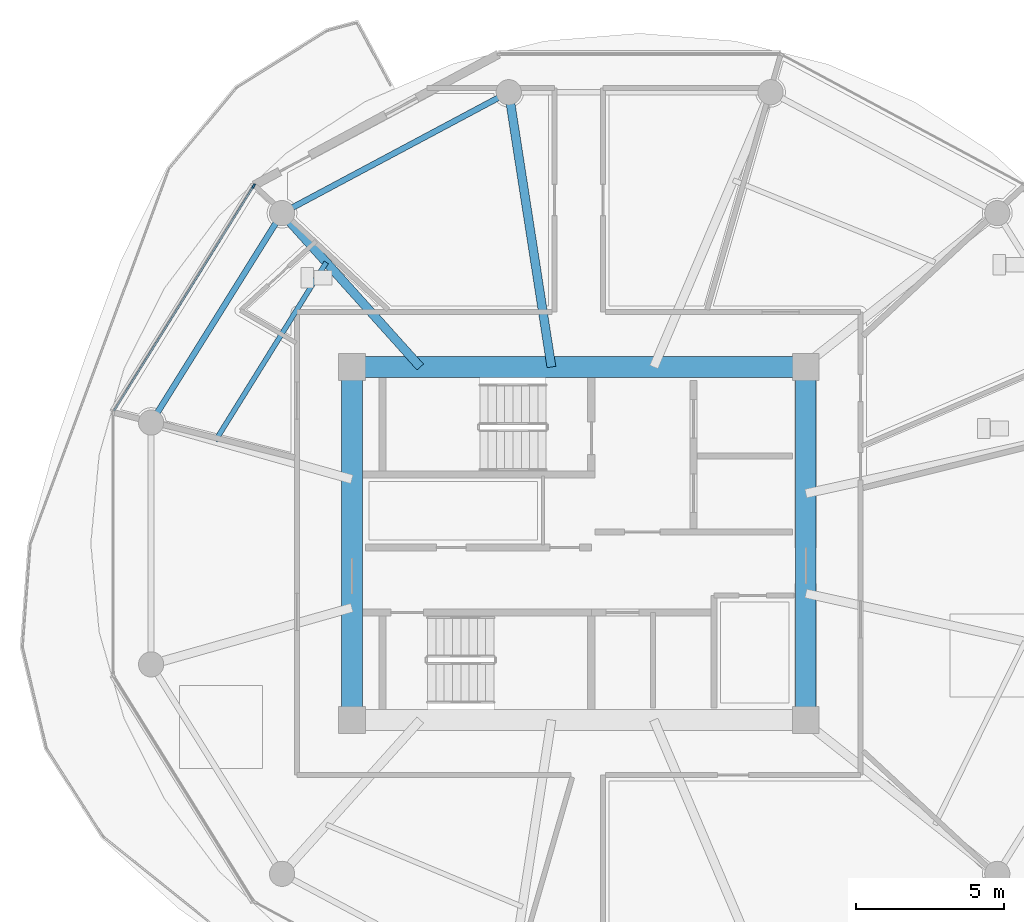
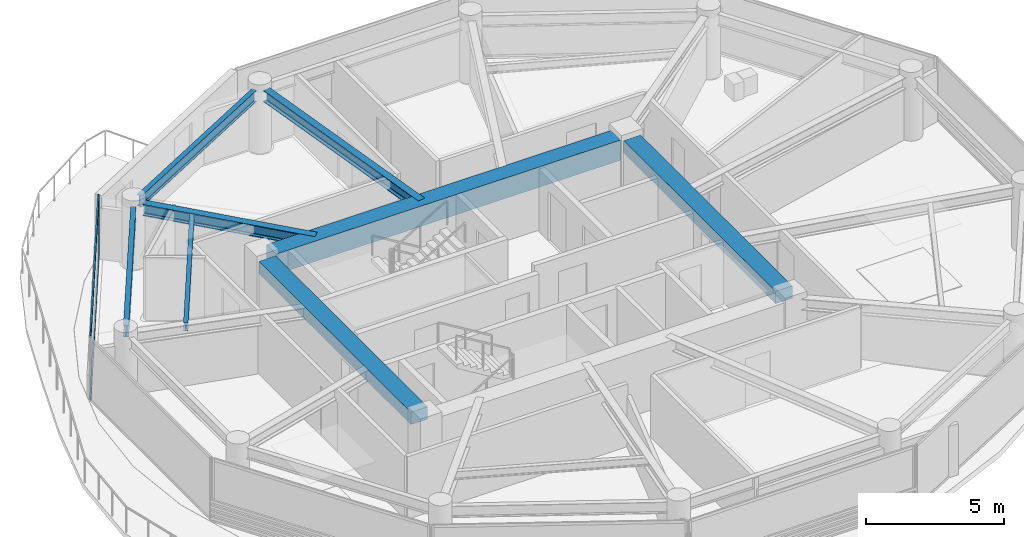
# One storey, part 4 of 25: 8 beams, 3 members, 1 element without a shape of its own.
"""IFC4 building model written with IfcOpenShell, lengths in metres."""

from ifc_helpers import new_model, si_unit, direction, frame, origin, origin_2d, place, context, subcontext, project, spatial, rectangle, i_section, extrude, source, transform, mapped, material, layer, layer_set, material_profile, profile_set, type_object, type_shapes, element, aggregate, save


model = new_model("IFC4")

# Units and contexts
model_context = context("Model", 3, precision=1e-05, world=origin(), true_north=direction((0.0, 1.0)))
body_context = subcontext(model_context, "Body", "Model", "MODEL_VIEW")
ifc_project = project(units=[si_unit("LENGTHUNIT", "METRE"), si_unit("AREAUNIT", "SQUARE_METRE"), si_unit("VOLUMEUNIT", "CUBIC_METRE"), si_unit("PLANEANGLEUNIT", "RADIAN"), si_unit("MASSUNIT", "GRAM", prefix="KILO")], contexts=[model_context])

# Site, building, storey
site_placement = place(None, origin())
site = spatial("IfcSite", under=ifc_project, at=site_placement, CompositionType="ELEMENT")
building_placement = place(site_placement, origin())
building = spatial("IfcBuilding", under=site, at=building_placement, Name="Norrkilde Senior Care Towers", CompositionType="ELEMENT")
storey_placement = place(building_placement, frame((0.0, 0.0, 99.300048828125)))
storey = spatial("IfcBuildingStorey", under=building, at=storey_placement, Name="L30", CompositionType="ELEMENT", Elevation=99.300048828125)

# Beams
ifc_material_1 = material(Name="Concrete C60/75", Category="concrete")
ifc_material_profile_1 = material_profile(ifc_material_1, rectangle(XDim=0.699951171875, YDim=0.89990234375, at=origin_2d()), Name="RC BM 700x900")
ifc_profile_set_1 = profile_set([ifc_material_profile_1], Name="Concrete C60/75")
beam_type_1 = type_object("IfcBeamType", Name="Core Coupling Girder 700x900", PredefinedType="USERDEFINED", material=ifc_profile_set_1)
shared_shape_1 = source(origin(), body_context, "Body", "SweptSolid", [
    extrude(rectangle(XDim=0.699951171875, YDim=0.89990234375, at=origin_2d()), origin(), (0.0, 0.0, 1.0), 14.43994140625),
])
type_shapes(beam_type_1, [shared_shape_1])
beam_1_placement = place(storey_placement, frame((-35.219970703125, 5.949951171875, 2.33984375), z_axis=(1.0, 0.0, 0.0), x_axis=(0.0, 1.0, 0.0)))
element("IfcBeam", 1, at=beam_1_placement, inside=storey, type_object=beam_type_1, Name="L30 Core W N Coupling Girder", ObjectType="GIRDER", PredefinedType="USERDEFINED", context=body_context, shape_type="MappedRepresentation", body=[
    mapped(shared_shape_1, transform((0.0, 0.0, 0.0), x_axis=(1.0, 0.0, 0.0), y_axis=(0.0, 1.0, 0.0), z_axis=(0.0, 0.0, 1.0), scale=1.0)),
])
ifc_material_profile_2 = material_profile(ifc_material_1, rectangle(XDim=0.699951171875, YDim=0.550048828125, at=origin_2d()), Name="RC BM 700x550")
ifc_profile_set_2 = profile_set([ifc_material_profile_2], Name="Concrete C60/75")
beam_type_2 = type_object("IfcBeamType", Name="Core Portal Coupling Beam 700x550", PredefinedType="USERDEFINED", material=ifc_profile_set_2)
shared_shape_2 = source(origin(), body_context, "Body", "SweptSolid", [
    extrude(rectangle(XDim=0.699951171875, YDim=0.550048828125, at=origin_2d()), origin(), (0.0, 0.0, 1.0), 11.0400390625),
])
type_shapes(beam_type_2, [shared_shape_2])
for number, where, z_axis, x_axis, name in (
    (2, (-35.64990234375, -5.52001953125, 2.514892578125), (0.0, 1.0, 0.0), (-1.0, 0.0, 0.0), "L30 Core W W Coupling Girder"),
    (3, (-20.35009765625, -5.52001953125, 2.514892578125), (0.0, 1.0, 0.0), (-1.0, 0.0, 0.0), "L30 Core W E Coupling Girder"),
):
    element("IfcBeam", number, at=place(storey_placement, frame(where, z_axis=z_axis, x_axis=x_axis)), inside=storey, type_object=beam_type_2, Name=name, ObjectType="GIRDER", PredefinedType="USERDEFINED", context=body_context, shape_type="MappedRepresentation", body=[
        mapped(shared_shape_2, transform((0.0, 0.0, 0.0), x_axis=(1.0, 0.0, 0.0), y_axis=(0.0, 1.0, 0.0), z_axis=(0.0, 0.0, 1.0), scale=1.0)),
    ])
ifc_material_2 = material(Name="Steel S355", Category="steel")
ifc_material_profile_3 = material_profile(ifc_material_2, i_section(OverallWidth=0.199951171875, OverallDepth=0.5, WebThickness=0.01025390625, FlangeThickness=0.01611328125, FilletRadius=0.02099609375, at=origin_2d()), Name="IPE 500")
ifc_profile_set_3 = profile_set([ifc_material_profile_3], Name="Steel S355")
beam_type_3 = type_object("IfcBeamType", Name="Perimeter Ring Spandrel Z2 IPE500", PredefinedType="SPANDREL", material=ifc_profile_set_3)
shared_shape_3 = source(origin(), body_context, "Body", "SweptSolid", [
    extrude(i_section(OverallWidth=0.199951171875, OverallDepth=0.5, WebThickness=0.01025390625, FlangeThickness=0.01611328125, FilletRadius=0.02099609375, at=origin_2d()), origin(), (0.0, 0.0, 1.0), 7.892333984375),
])
beam_2_placement = place(storey_placement, frame((-30.70263671875, 15.0322265625, 2.5400390625), z_axis=(-0.882350372282, -0.47059305194, 0.0), x_axis=(0.47059305194, -0.882350372282, 0.0)))
element("IfcBeam", 4, at=beam_2_placement, inside=storey, type_object=beam_type_3, Name="L30 Drum W Perimeter Spandrel 04", PredefinedType="SPANDREL", context=body_context, shape_type="MappedRepresentation", body=[
    mapped(shared_shape_3, transform((0.0, 0.0, 0.0), x_axis=(1.0, 0.0, 0.0), y_axis=(0.0, 1.0, 0.0), z_axis=(0.0, 0.0, 1.0), scale=1.0)),
])
ifc_material_profile_4 = material_profile(ifc_material_2, i_section(OverallWidth=0.300048828125, OverallDepth=0.5, WebThickness=0.014404296875, FlangeThickness=0.028076171875, FilletRadius=0.027099609375, at=origin_2d()), Name="HEB 500")
ifc_profile_set_4 = profile_set([ifc_material_profile_4], Name="Steel S355")
beam_type_4 = type_object("IfcBeamType", Name="Radial Floor Beam Z2 HEB500", PredefinedType="BEAM", material=ifc_profile_set_4)
shared_shape_4 = source(origin(), body_context, "Body", "SweptSolid", [
    extrude(i_section(OverallWidth=0.300048828125, OverallDepth=0.5, WebThickness=0.014404296875, FlangeThickness=0.028076171875, FilletRadius=0.027099609375, at=origin_2d()), origin(), (0.0, 0.0, 1.0), 8.989501953125),
])
beam_3_placement = place(storey_placement, frame((-28.924072265625, 5.949951171875, 2.5400390625), z_axis=(-0.153471298636, 0.988153105796, 0.0), x_axis=(-0.988153105796, -0.153471298636, 0.0)))
element("IfcBeam", 5, at=beam_3_placement, inside=storey, type_object=beam_type_4, Name="L30 Drum W Radial Floor Beam 04", PredefinedType="BEAM", context=body_context, shape_type="MappedRepresentation", body=[
    mapped(shared_shape_4, transform((0.0, 0.0, 0.0), x_axis=(1.0, 0.0, 0.0), y_axis=(0.0, 1.0, 0.0), z_axis=(0.0, 0.0, 1.0), scale=1.0)),
])
shared_shape_5 = source(origin(), body_context, "Body", "SweptSolid", [
    extrude(i_section(OverallWidth=0.199951171875, OverallDepth=0.5, WebThickness=0.01025390625, FlangeThickness=0.01611328125, FilletRadius=0.02099609375, at=origin_2d()), origin(), (0.0, 0.0, 1.0), 7.556396484375),
])
type_shapes(beam_type_3, [shared_shape_3, shared_shape_5])
beam_4_placement = place(storey_placement, frame((-38.210205078125, 10.810546875, 2.5400390625), z_axis=(-0.530004748437, -0.847994673706, 0.0), x_axis=(0.847994673706, -0.530004748437, 0.0)))
element("IfcBeam", 6, at=beam_4_placement, inside=storey, type_object=beam_type_3, Name="L30 Drum W Perimeter Spandrel 05", PredefinedType="SPANDREL", context=body_context, shape_type="MappedRepresentation", body=[
    mapped(shared_shape_5, transform((0.0, 0.0, 0.0), x_axis=(1.0, 0.0, 0.0), y_axis=(0.0, 1.0, 0.0), z_axis=(0.0, 0.0, 1.0), scale=1.0)),
])
shared_shape_6 = source(origin(), body_context, "Body", "SweptSolid", [
    extrude(i_section(OverallWidth=0.300048828125, OverallDepth=0.5, WebThickness=0.014404296875, FlangeThickness=0.028076171875, FilletRadius=0.027099609375, at=origin_2d()), origin(), (0.0, 0.0, 1.0), 6.587890625),
])
type_shapes(beam_type_4, [shared_shape_4, shared_shape_6])
beam_5_placement = place(storey_placement, frame((-33.345947265625, 5.949951171875, 2.5400390625), z_axis=(-0.668315438605, 0.743877997068, 0.0), x_axis=(-0.743877997068, -0.668315438605, 0.0)))
element("IfcBeam", 7, at=beam_5_placement, inside=storey, type_object=beam_type_4, Name="L30 Drum W Radial Floor Beam 05", PredefinedType="BEAM", context=body_context, shape_type="MappedRepresentation", body=[
    mapped(shared_shape_6, transform((0.0, 0.0, 0.0), x_axis=(1.0, 0.0, 0.0), y_axis=(0.0, 1.0, 0.0), z_axis=(0.0, 0.0, 1.0), scale=1.0)),
])
ifc_material_profile_5 = material_profile(ifc_material_2, i_section(OverallWidth=0.169921875, OverallDepth=0.360107421875, WebThickness=0.008056640625, FlangeThickness=0.0126953125, FilletRadius=0.01806640625, at=origin_2d()), Name="IPE 360")
ifc_profile_set_5 = profile_set([ifc_material_profile_5], Name="Steel S355")
beam_type_5 = type_object("IfcBeamType", Name="Secondary Floor Joist IPE360", PredefinedType="JOIST", material=ifc_profile_set_5)
shared_shape_7 = source(origin(), body_context, "Body", "SweptSolid", [
    extrude(i_section(OverallWidth=0.169921875, OverallDepth=0.360107421875, WebThickness=0.008056640625, FlangeThickness=0.0126953125, FilletRadius=0.01806640625, at=origin_2d()), origin(), (0.0, 0.0, 1.0), 7.080078125),
])
type_shapes(beam_type_5, [shared_shape_7])
beam_6_placement = place(storey_placement, frame((-36.514892578125, 9.47705078125, 2.60986328125), z_axis=(-0.527961009189, -0.849268610497, 0.0), x_axis=(0.849268610497, -0.527961009189, 0.0)))
element("IfcBeam", 8, at=beam_6_placement, inside=storey, type_object=beam_type_5, Name="L30 Drum W Secondary Floor Joist 2", PredefinedType="JOIST", context=body_context, shape_type="MappedRepresentation", body=[
    mapped(shared_shape_7, transform((0.0, 0.0, 0.0), x_axis=(1.0, 0.0, 0.0), y_axis=(0.0, 1.0, 0.0), z_axis=(0.0, 0.0, 1.0), scale=1.0)),
])

# Curtain wall, members
ifc_material_3 = material(Name="Triple Low-E Insulated Glazing", Category="glass")
ifc_layer = layer(ifc_material_3, 0.195068359375)
ifc_layer_set = layer_set([ifc_layer], Name="Triple Low-E Insulated Glazing")
curtain_wall_type = type_object("IfcCurtainWallType", Name="CW3 Zone 2 Assisted Living Curtain Wall", PredefinedType="NOTDEFINED", material=ifc_layer_set)
curtain_wall_placement = place(storey_placement, origin())
curtain_wall = element("IfcCurtainWall", 9, at=curtain_wall_placement, inside=storey, type_object=curtain_wall_type, Name="L30 Drum W Curtain Wall 04", PredefinedType="NOTDEFINED")
ifc_material_4 = material(Name="Anodised Aluminium", Category="aluminium")
ifc_material_profile_6 = material_profile(ifc_material_4, rectangle(XDim=0.06494140625, YDim=0.159912109375, at=origin_2d()), Name="ALU MULL 65x160")
ifc_profile_set_6 = profile_set([ifc_material_profile_6], Name="Anodised Aluminium")
member_type_1 = type_object("IfcMemberType", Name="Curtain Wall Mullion Z1-Z2 65x160", PredefinedType="MULLION", material=ifc_profile_set_6)
shared_shape_8 = source(origin(), body_context, "Body", "SweptSolid", [
    extrude(rectangle(XDim=0.06494140625, YDim=0.159912109375, at=origin_2d()), origin(), (0.0, 0.0, 1.0), 2.7900390625),
])
type_shapes(member_type_1, [shared_shape_8])
member_1_placement = place(storey_placement, frame((-38.9638671875, 12.0498046875, 0.0), z_axis=(0.0, 0.0, 1.0), x_axis=(-0.849410171862, 0.527733228002, 0.0)))
member_1 = element("IfcMember", 10, at=member_1_placement, type_object=member_type_1, Name="CW-3 mullion 2", PredefinedType="MULLION", context=body_context, shape_type="MappedRepresentation", body=[
    mapped(shared_shape_8, transform((0.0, 0.0, 0.0), x_axis=(1.0, 0.0, 0.0), y_axis=(0.0, 1.0, 0.0), z_axis=(0.0, 0.0, 1.0), scale=1.0)),
])
ifc_material_profile_7 = material_profile(ifc_material_4, rectangle(XDim=0.06005859375, YDim=0.1201171875, at=origin_2d()), Name="ALU TRAN 60x120")
ifc_profile_set_7 = profile_set([ifc_material_profile_7], Name="Anodised Aluminium")
member_type_2 = type_object("IfcMemberType", Name="Curtain Wall Transom Typical 60x120", PredefinedType="USERDEFINED", material=ifc_profile_set_7)
shared_shape_9 = source(origin(), body_context, "Body", "SweptSolid", [
    extrude(rectangle(XDim=0.06005859375, YDim=0.1201171875, at=origin_2d()), origin(), (0.0, 0.0, 1.0), 8.88427734375),
])
type_shapes(member_type_2, [shared_shape_9])
member_2_placement = place(storey_placement, frame((-43.66943359375, 4.475830078125, 0.030029296875), z_axis=(0.527729466743, 0.849412508697, 0.0), x_axis=(-0.849412508697, 0.527729466743, 0.0)))
member_2 = element("IfcMember", 11, at=member_2_placement, type_object=member_type_2, Name="CW-3 transom 1.1", ObjectType="TRANSOM", PredefinedType="USERDEFINED", context=body_context, shape_type="MappedRepresentation", body=[
    mapped(shared_shape_9, transform((0.0, 0.0, 0.0), x_axis=(1.0, 0.0, 0.0), y_axis=(0.0, 1.0, 0.0), z_axis=(0.0, 0.0, 1.0), scale=1.0)),
])
member_3_placement = place(storey_placement, frame((-43.66943359375, 4.475830078125, 2.760009765625), z_axis=(0.527729466743, 0.849412508697, 0.0), x_axis=(-0.849412508697, 0.527729466743, 0.0)))
member_3 = element("IfcMember", 12, at=member_3_placement, type_object=member_type_2, Name="CW-3 transom 1.2", ObjectType="TRANSOM", PredefinedType="USERDEFINED", context=body_context, shape_type="MappedRepresentation", body=[
    mapped(shared_shape_9, transform((0.0, 0.0, 0.0), x_axis=(1.0, 0.0, 0.0), y_axis=(0.0, 1.0, 0.0), z_axis=(0.0, 0.0, 1.0), scale=1.0)),
])
aggregate(curtain_wall, [member_1, member_2, member_3])

save(model, "model.ifc")
